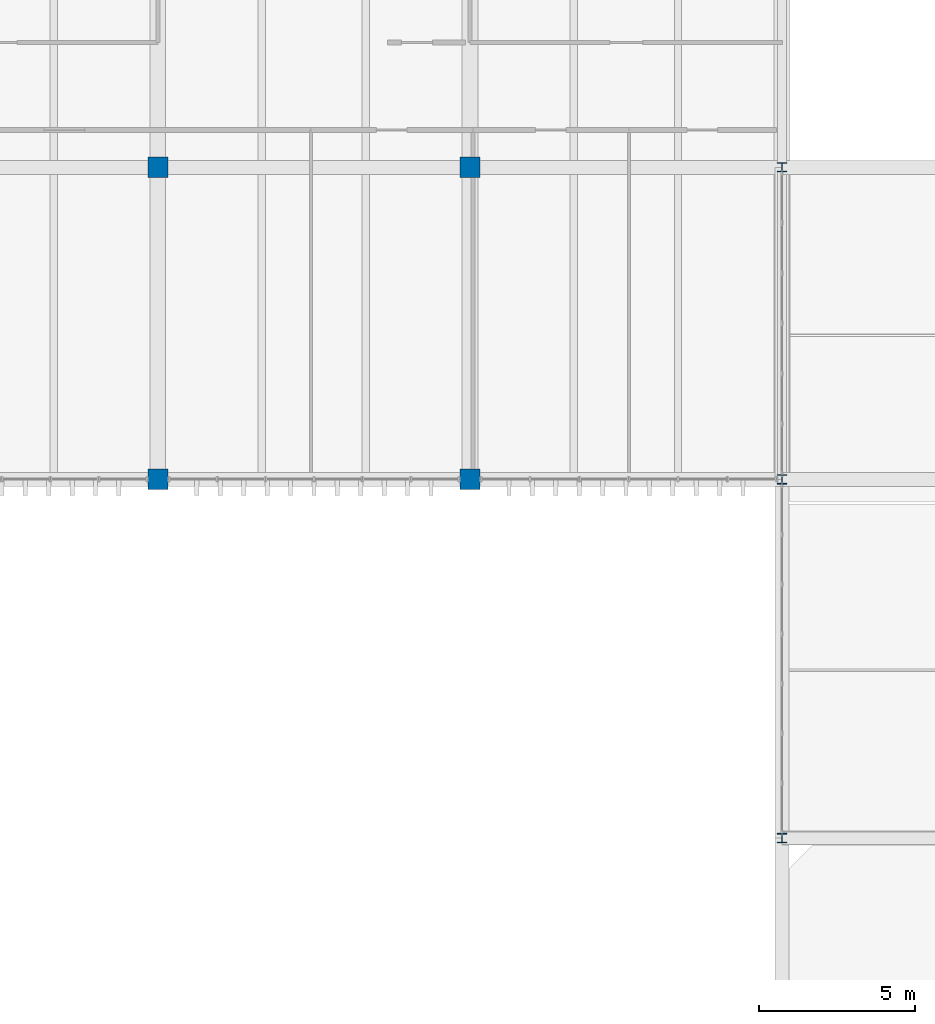
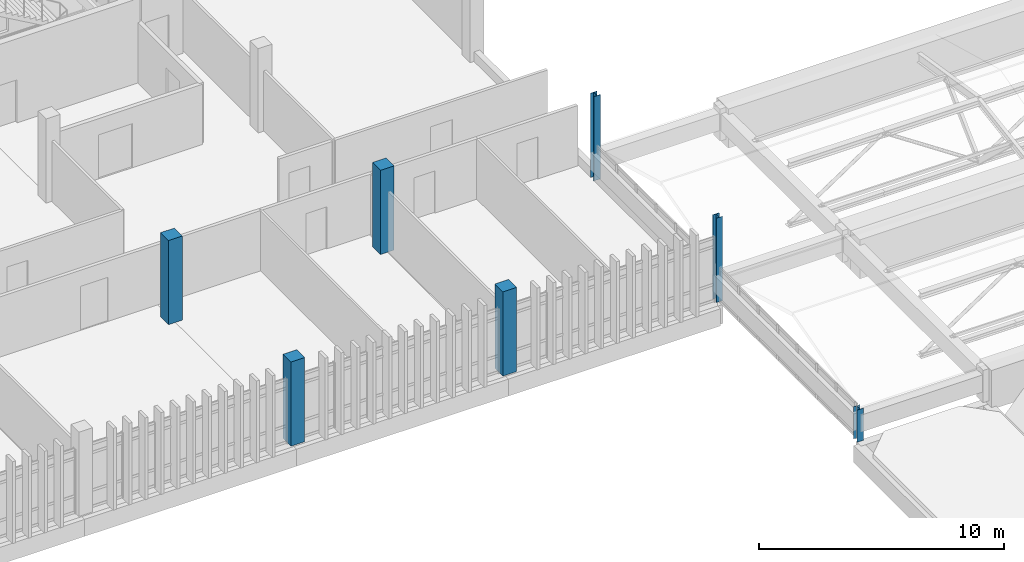
# One storey, part 2 of 82: 7 columns.
"""IFC4 building model written with IfcOpenShell, lengths in metres."""

from ifc_helpers import new_model, si_unit, direction, frame, origin, origin_2d, place, context, subcontext, project, spatial, rectangle, i_section, extrude, material, material_profile, profile_set, type_object, element, save


model = new_model("IFC4")

# Units and contexts
model_context = context("Model", 3, precision=1e-05, world=origin(), true_north=direction((0.0, 1.0)))
body_context = subcontext(model_context, "Body", "Model", "MODEL_VIEW")
ifc_project = project(units=[si_unit("LENGTHUNIT", "METRE"), si_unit("AREAUNIT", "SQUARE_METRE"), si_unit("VOLUMEUNIT", "CUBIC_METRE"), si_unit("PLANEANGLEUNIT", "RADIAN"), si_unit("MASSUNIT", "GRAM", prefix="KILO")], contexts=[model_context])

# Site, building, storey
site_placement = place(None, origin())
site = spatial("IfcSite", under=ifc_project, at=site_placement, CompositionType="ELEMENT")
building_placement = place(site_placement, origin())
building = spatial("IfcBuilding", under=site, at=building_placement, Name="Mersad Railyard Sports Hall", CompositionType="ELEMENT")
storey_placement = place(building_placement, frame((0.0, 0.0, 13.199951171875)))
storey = spatial("IfcBuildingStorey", under=building, at=storey_placement, Name="L03", CompositionType="ELEMENT", Elevation=13.199951171875)

# Columns
ifc_material_1 = material(Name="Concrete C40/50", Category="concrete")
ifc_material_profile_1 = material_profile(ifc_material_1, rectangle(XDim=0.64990234375, YDim=0.64990234375, at=origin_2d()), Name="RC 650x650")
ifc_profile_set_1 = profile_set([ifc_material_profile_1], Name="Concrete C40/50")
column_type_1 = type_object("IfcColumnType", Name="STR-COL-C04", PredefinedType="COLUMN", material=ifc_profile_set_1)
for number, where, z_axis, x_axis, name in (
    (1, (111.0, 85.0, 0.0), (0.0, 0.0, 1.0), (1.0, 0.0, 0.0), "Column C04 L03 (111.0,85.0)"),
    (2, (111.0, 95.0, 0.0), (0.0, 0.0, 1.0), (1.0, 0.0, 0.0), "Column C04 L03 (111.0,95.0)"),
    (3, (121.0, 85.0, 0.0), (0.0, 0.0, 1.0), (1.0, 0.0, 0.0), "Column C04 L03 (121.0,85.0)"),
    (4, (121.0, 95.0, 0.0), (0.0, 0.0, 1.0), (1.0, 0.0, 0.0), "Column C04 L03 (121.0,95.0)"),
):
    element("IfcColumn", number, at=place(storey_placement, frame(where, z_axis=z_axis, x_axis=x_axis)), inside=storey, type_object=column_type_1, Name=name, PredefinedType="COLUMN", context=body_context, shape_type="SweptSolid", body=[
        extrude(rectangle(XDim=0.64990234375, YDim=0.64990234375, at=origin_2d()), origin(), (0.0, 0.0, 1.0), 4.199951171875),
    ])
ifc_material_2 = material(Name="Steel S355", Category="steel")
ifc_material_profile_2 = material_profile(ifc_material_2, i_section(OverallWidth=0.300048828125, OverallDepth=0.300048828125, WebThickness=0.010986328125, FlangeThickness=0.01904296875, at=origin_2d()), Name="HEB 300")
ifc_profile_set_2 = profile_set([ifc_material_profile_2], Name="Steel S355")
column_type_2 = type_object("IfcColumnType", Name="STR-COL-C10", PredefinedType="COLUMN", material=ifc_profile_set_2)
column_placement = place(storey_placement, frame((131.0, 73.5, 0.0), z_axis=(0.0, 0.0, 1.0), x_axis=(1.0, 0.0, 0.0)))
element("IfcColumn", 5, at=column_placement, inside=storey, type_object=column_type_2, Name="Column C10 L03 (131.0,73.5)", PredefinedType="COLUMN", context=body_context, shape_type="SweptSolid", body=[
    extrude(i_section(OverallWidth=0.300048828125, OverallDepth=0.300048828125, WebThickness=0.010986328125, FlangeThickness=0.01904296875, at=origin_2d()), origin(), (0.0, 0.0, 1.0), 1.60009765625),
])
for number, where, z_axis, x_axis, name in (
    (6, (131.0, 85.0, 0.0), (0.0, 0.0, 1.0), (1.0, 0.0, 0.0), "Column C10 L03 (131.0,85.0)"),
    (7, (131.0, 95.0, 0.0), (0.0, 0.0, 1.0), (1.0, 0.0, 0.0), "Column C10 L03 (131.0,95.0)"),
):
    element("IfcColumn", number, at=place(storey_placement, frame(where, z_axis=z_axis, x_axis=x_axis)), inside=storey, type_object=column_type_2, Name=name, PredefinedType="COLUMN", context=body_context, shape_type="SweptSolid", body=[
        extrude(i_section(OverallWidth=0.300048828125, OverallDepth=0.300048828125, WebThickness=0.010986328125, FlangeThickness=0.01904296875, at=origin_2d()), origin(), (0.0, 0.0, 1.0), 4.199951171875),
    ])

save(model, "model.ifc")
